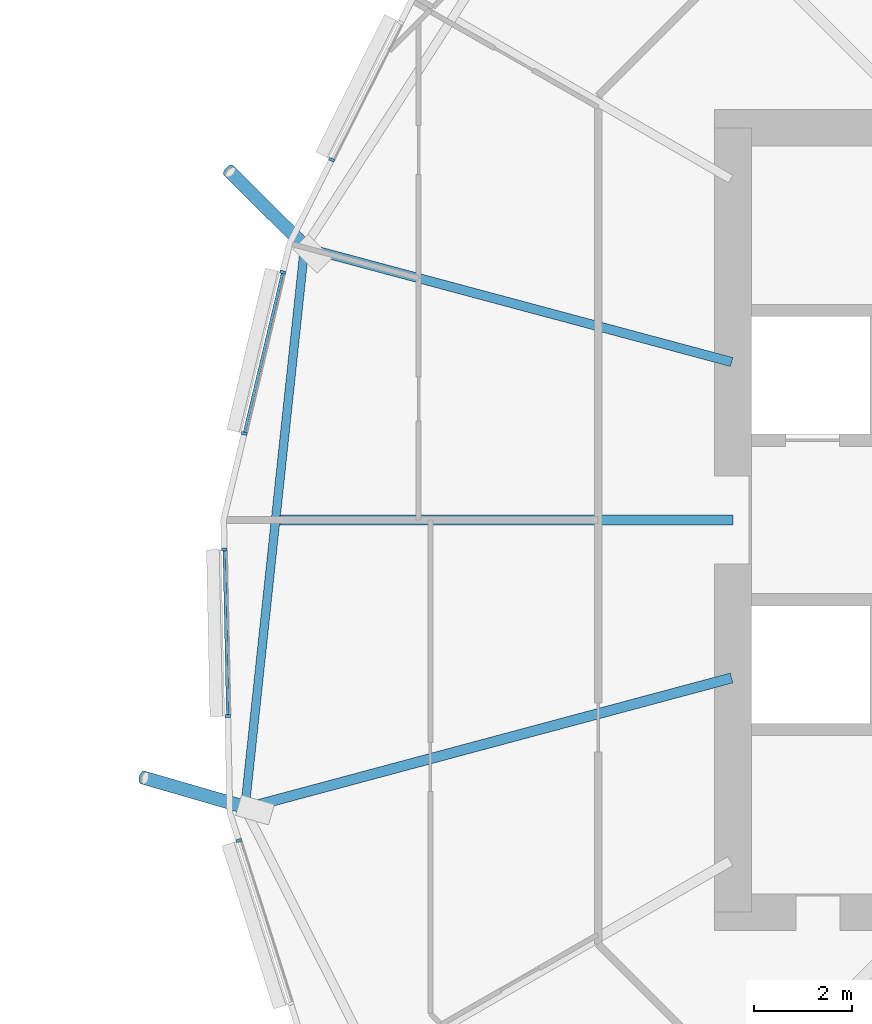
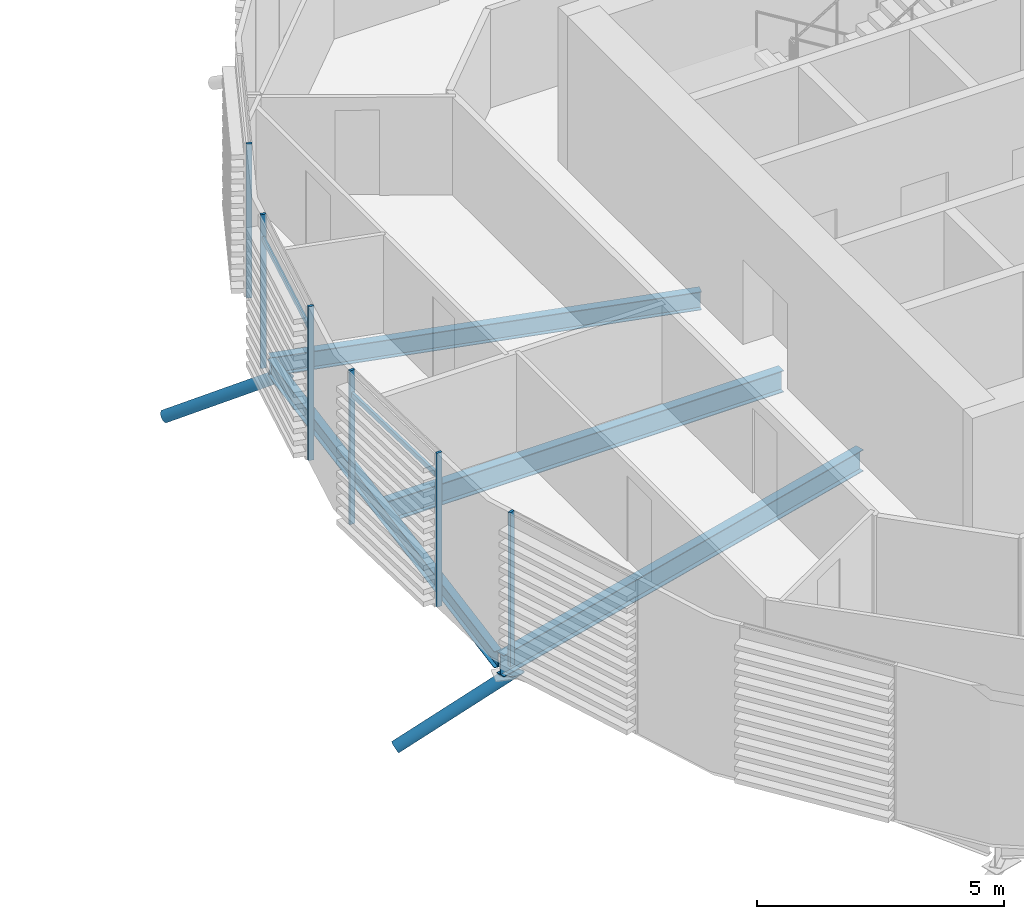
# One storey, part 14 of 43: 10 members, 4 beams, 1 element without a shape of its own.
"""IFC4 building model written with IfcOpenShell, lengths in metres."""

from ifc_helpers import new_model, si_unit, direction, frame, origin, origin_2d, place, context, subcontext, project, spatial, rectangle, hollow_circle, i_section, extrude, clip, halfspace, material, material_profile, profile_set, type_object, element, aggregate, save


model = new_model("IFC4")

# Units and contexts
model_context = context("Model", 3, precision=1e-05, world=origin(), true_north=direction((0.0, 1.0)))
body_context = subcontext(model_context, "Body", "Model", "MODEL_VIEW")
ifc_project = project(units=[si_unit("LENGTHUNIT", "METRE"), si_unit("AREAUNIT", "SQUARE_METRE"), si_unit("VOLUMEUNIT", "CUBIC_METRE"), si_unit("PLANEANGLEUNIT", "RADIAN"), si_unit("MASSUNIT", "GRAM", prefix="KILO")], contexts=[model_context])

# Site, building, storey
site_placement = place(None, origin())
site = spatial("IfcSite", under=ifc_project, at=site_placement, CompositionType="ELEMENT")
building_placement = place(site_placement, origin())
building = spatial("IfcBuilding", under=site, at=building_placement, Name="Rimbun Link Towers", CompositionType="ELEMENT")
storey_placement = place(building_placement, frame((0.0, 0.0, 81.60009765625)))
storey = spatial("IfcBuildingStorey", under=building, at=storey_placement, Name="L19", CompositionType="ELEMENT", Elevation=81.60009765625)

# Curtain wall, members
ifc_material_1 = material(Name="Aluminium 6063-T6 and low-iron glass", Category="aluminium")
curtain_wall_type = type_object("IfcCurtainWallType", Name="CW1-Z2 unitised vision wall (zone 2)", PredefinedType="NOTDEFINED", material=ifc_material_1)
curtain_wall_placement = place(storey_placement, origin())
curtain_wall = element("IfcCurtainWall", 1, at=curtain_wall_placement, inside=storey, type_object=curtain_wall_type, Name="CW1 L19 T2", PredefinedType="NOTDEFINED")
ifc_material_2 = material(Name="Aluminium 6063-T6", Category="aluminium")
ifc_material_profile_1 = material_profile(ifc_material_2, rectangle(XDim=0.1201171875, YDim=0.06005859375, at=origin_2d()), Name="MULLION 60X120")
ifc_profile_set_1 = profile_set([ifc_material_profile_1], Name="Aluminium 6063-T6")
member_type_1 = type_object("IfcMemberType", Name="CW1 mullion 60X120", PredefinedType="MULLION", material=ifc_profile_set_1)
member_1_placement = place(storey_placement, frame((11.5654296875, 7.347412109375, 0.0), z_axis=(0.0, 0.0, 1.0), x_axis=(-0.893637454336, 0.448789594585, 0.0)))
member_1 = element("IfcMember", 2, at=member_1_placement, type_object=member_type_1, Name="CW1 mullion", PredefinedType="MULLION", context=body_context, shape_type="SweptSolid", body=[
    extrude(rectangle(XDim=0.1201171875, YDim=0.06005859375, at=origin_2d()), origin(), (0.0, 0.0, 1.0), 3.7998046875),
])
member_2_placement = place(storey_placement, frame((9.781982421875, 1.7646484375, 0.0), z_axis=(0.0, 0.0, 1.0), x_axis=(-0.972576339867, 0.232583884072, 0.0)))
member_2 = element("IfcMember", 3, at=member_2_placement, type_object=member_type_1, Name="CW1 mullion", PredefinedType="MULLION", context=body_context, shape_type="SweptSolid", body=[
    extrude(rectangle(XDim=0.1201171875, YDim=0.06005859375, at=origin_2d()), origin(), (0.0, 0.0, 1.0), 3.7998046875),
])
member_3_placement = place(storey_placement, frame((10.568359375, 5.052978515625, 0.0), z_axis=(0.0, 0.0, 1.0), x_axis=(-0.972576339867, 0.232583884072, 0.0)))
member_3 = element("IfcMember", 4, at=member_3_placement, type_object=member_type_1, Name="CW1 mullion", PredefinedType="MULLION", context=body_context, shape_type="SweptSolid", body=[
    extrude(rectangle(XDim=0.1201171875, YDim=0.06005859375, at=origin_2d()), origin(), (0.0, 0.0, 1.0), 3.7998046875),
])
member_4_placement = place(storey_placement, frame((9.446044921875, -4.0009765625, 0.0), z_axis=(0.0, 0.0, 1.0), x_axis=(-0.999778284552, -0.02105663171, 0.0)))
member_4 = element("IfcMember", 5, at=member_4_placement, type_object=member_type_1, Name="CW1 mullion", PredefinedType="MULLION", context=body_context, shape_type="SweptSolid", body=[
    extrude(rectangle(XDim=0.1201171875, YDim=0.06005859375, at=origin_2d()), origin(), (0.0, 0.0, 1.0), 3.7998046875),
])
member_5_placement = place(storey_placement, frame((9.374267578125, -0.60107421875, 0.0), z_axis=(0.0, 0.0, 1.0), x_axis=(-0.999778284552, -0.02105663171, 0.0)))
member_5 = element("IfcMember", 6, at=member_5_placement, type_object=member_type_1, Name="CW1 mullion", PredefinedType="MULLION", context=body_context, shape_type="SweptSolid", body=[
    extrude(rectangle(XDim=0.1201171875, YDim=0.06005859375, at=origin_2d()), origin(), (0.0, 0.0, 1.0), 3.7998046875),
])
member_6_placement = place(storey_placement, frame((9.671630859375, -6.539306640625, 0.0), z_axis=(0.0, 0.0, 1.0), x_axis=(-0.952968251743, -0.303070142328, 0.0)))
member_6 = element("IfcMember", 7, at=member_6_placement, type_object=member_type_1, Name="CW1 mullion", PredefinedType="MULLION", context=body_context, shape_type="SweptSolid", body=[
    extrude(rectangle(XDim=0.1201171875, YDim=0.06005859375, at=origin_2d()), origin(), (0.0, 0.0, 1.0), 3.7998046875),
])
ifc_material_3 = material(Name="Aluminium 6063-T6", Category="aluminium")
ifc_material_profile_2 = material_profile(ifc_material_3, rectangle(XDim=0.06005859375, YDim=0.1201171875, at=origin_2d()), Name="TRANSOM 60X120")
ifc_profile_set_2 = profile_set([ifc_material_profile_2], Name="Aluminium 6063-T6")
member_type_2 = type_object("IfcMemberType", Name="CW1 transom 60X120", PredefinedType="USERDEFINED", material=ifc_profile_set_2)
member_7_placement = place(storey_placement, frame((9.791015625, 1.793212890625, 3.199951171875), z_axis=(0.23257774788, 0.972577807268, 0.0), x_axis=(-0.972577807268, 0.23257774788, 0.0)))
member_7 = element("IfcMember", 8, at=member_7_placement, type_object=member_type_2, Name="CW1 transom", ObjectType="TRANSOM", PredefinedType="USERDEFINED", context=body_context, shape_type="SweptSolid", body=[
    extrude(rectangle(XDim=0.06005859375, YDim=0.1201171875, at=origin_2d()), origin(), (0.0, 0.0, 1.0), 3.3212890625),
])
member_8_placement = place(storey_placement, frame((9.447265625, -3.970947265625, 3.199951171875), z_axis=(-0.021047967726, 0.999778466989, 0.0), x_axis=(-0.999778466989, -0.021047967726, 0.0)))
member_8 = element("IfcMember", 9, at=member_8_placement, type_object=member_type_2, Name="CW1 transom", ObjectType="TRANSOM", PredefinedType="USERDEFINED", context=body_context, shape_type="SweptSolid", body=[
    extrude(rectangle(XDim=0.06005859375, YDim=0.1201171875, at=origin_2d()), origin(), (0.0, 0.0, 1.0), 3.340576171875),
])
aggregate(curtain_wall, [member_1, member_2, member_3, member_4, member_5, member_6, member_7, member_8])

# Members
ifc_material_4 = material(Name="Steel S355J2H", Category="steel")
ifc_material_profile_3 = material_profile(ifc_material_4, hollow_circle(Radius=0.136474609375, WallThickness=0.012451171875, at=origin_2d()), Name="CHS 273x12.5")
ifc_profile_set_3 = profile_set([ifc_material_profile_3], Name="Steel S355J2H")
member_type_3 = type_object("IfcMemberType", Name="Floor edge link CHS 273x12.5", PredefinedType="BRACE", material=ifc_profile_set_3)
member_9_placement = place(storey_placement, frame((11.061279296875, 5.543701171875, -0.730224609375), z_axis=(-0.609158600874, 0.604229531279, -0.513646252309), x_axis=(-0.704228535707, -0.709973358301, 0.0)))
element("IfcMember", 10, at=member_9_placement, inside=storey, type_object=member_type_3, Name="Floor edge link T2 L19 08", PredefinedType="BRACE", context=body_context, shape_type="Clipping", body=[
    clip(extrude(hollow_circle(Radius=0.136474609375, WallThickness=0.012451171875, at=origin_2d()), frame((0.0, 0.0, -0.475341796875)), (0.0, 0.0, 1.0), 3.1005859375), halfspace(frame((0.0, 0.0, -0.223388671875), z_axis=(0.0, 0.858002055643, -0.513646252309)), False)),
])
member_10_placement = place(storey_placement, frame((9.843994140625, -5.86962890625, -0.810302734375), z_axis=(-0.827365433414, 0.240038119571, -0.507787495656), x_axis=(-0.278633818039, -0.960397415368, 0.0)))
element("IfcMember", 11, at=member_10_placement, inside=storey, type_object=member_type_3, Name="Floor edge link T2 L19 10", PredefinedType="BRACE", context=body_context, shape_type="Clipping", body=[
    clip(extrude(hollow_circle(Radius=0.136474609375, WallThickness=0.012451171875, at=origin_2d()), frame((0.0, 0.0, -0.48291015625)), (0.0, 0.0, 1.0), 3.064208984375), halfspace(frame((0.0, 0.0, -0.2265625), z_axis=(0.0, 0.861482361546, -0.507787495656)), False)),
])

# Beams
ifc_material_5 = material(Name="Steel S355J2", Category="steel")
ifc_material_profile_4 = material_profile(ifc_material_5, i_section(OverallWidth=0.177978515625, OverallDepth=0.406494140625, WebThickness=0.0078125, FlangeThickness=0.0126953125, at=origin_2d()), Name="UB 406x178x60")
ifc_profile_set_4 = profile_set([ifc_material_profile_4], Name="Steel S355J2")
beam_type_1 = type_object("IfcBeamType", Name="UB 406x178x60", PredefinedType="BEAM", material=ifc_profile_set_4)
beam_1_placement = place(storey_placement, frame((11.002685546875, 5.4599609375, -0.36328125), z_axis=(-0.105820165315, -0.994385283787, 0.0), x_axis=(0.994385283787, -0.105820165315, 0.0)))
element("IfcBeam", 12, at=beam_1_placement, inside=storey, type_object=beam_type_1, Name="Edge beam T2 L19 08-10", PredefinedType="BEAM", context=body_context, shape_type="SweptSolid", body=[
    extrude(i_section(OverallWidth=0.177978515625, OverallDepth=0.406494140625, WebThickness=0.0078125, FlangeThickness=0.0126953125, at=origin_2d()), origin(), (0.0, 0.0, 1.0), 11.29345703125),
])
ifc_material_6 = material(Name="Steel S355J2", Category="steel")
ifc_material_profile_5 = material_profile(ifc_material_6, i_section(OverallWidth=0.18994140625, OverallDepth=0.453369140625, WebThickness=0.008544921875, FlangeThickness=0.0126953125, at=origin_2d()), Name="UB 457x191x67")
ifc_profile_set_5 = profile_set([ifc_material_profile_5], Name="Steel S355J2")
beam_type_2 = type_object("IfcBeamType", Name="UB 457x191x67", PredefinedType="BEAM", material=ifc_profile_set_5)
beam_2_placement = place(storey_placement, frame((19.724609375, 3.22216796875, -0.38671875), z_axis=(-0.965927389772, 0.258813210033, 0.0), x_axis=(-0.258813210033, -0.965927389772, 0.0)))
element("IfcBeam", 13, at=beam_2_placement, inside=storey, type_object=beam_type_2, Name="Radial beam T2 L19 08", PredefinedType="BEAM", context=body_context, shape_type="SweptSolid", body=[
    extrude(i_section(OverallWidth=0.18994140625, OverallDepth=0.453369140625, WebThickness=0.008544921875, FlangeThickness=0.0126953125, at=origin_2d()), origin(), (0.0, 0.0, 1.0), 9.01904296875),
])
ifc_material_7 = material(Name="Steel S355J2", Category="steel")
ifc_material_profile_6 = material_profile(ifc_material_7, i_section(OverallWidth=0.209228515625, OverallDepth=0.533203125, WebThickness=0.010009765625, FlangeThickness=0.015625, at=origin_2d()), Name="UB 533x210x92")
ifc_profile_set_6 = profile_set([ifc_material_profile_6], Name="Steel S355J2")
beam_type_3 = type_object("IfcBeamType", Name="UB 533x210x92", PredefinedType="BEAM", material=ifc_profile_set_6)
beam_3_placement = place(storey_placement, frame((19.7490234375, 0.0, -0.426513671875), z_axis=(-1.0, 0.0, 0.0), x_axis=(0.0, -1.0, 0.0)))
element("IfcBeam", 14, at=beam_3_placement, inside=storey, type_object=beam_type_3, Name="Radial beam T2 L19 09", PredefinedType="BEAM", context=body_context, shape_type="SweptSolid", body=[
    extrude(i_section(OverallWidth=0.209228515625, OverallDepth=0.533203125, WebThickness=0.010009765625, FlangeThickness=0.015625, at=origin_2d()), origin(), (0.0, 0.0, 1.0), 9.23681640625),
])
beam_4_placement = place(storey_placement, frame((19.721923828125, -3.222900390625, -0.426513671875), z_axis=(-0.965927478986, -0.258812877074, 0.0), x_axis=(0.258812877074, -0.965927478986, 0.0)))
element("IfcBeam", 15, at=beam_4_placement, inside=storey, type_object=beam_type_3, Name="Radial beam T2 L19 10", PredefinedType="BEAM", context=body_context, shape_type="SweptSolid", body=[
    extrude(i_section(OverallWidth=0.209228515625, OverallDepth=0.533203125, WebThickness=0.010009765625, FlangeThickness=0.015625, at=origin_2d()), origin(), (0.0, 0.0, 1.0), 10.2763671875),
])

save(model, "model.ifc")
